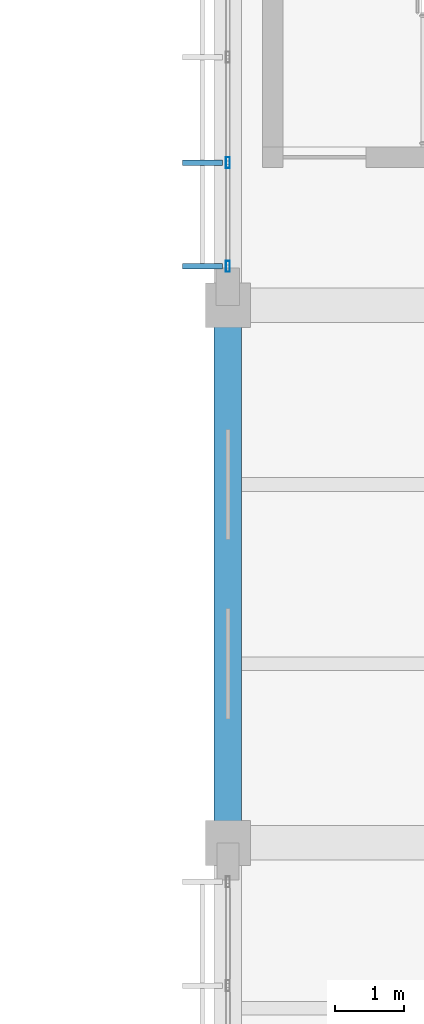
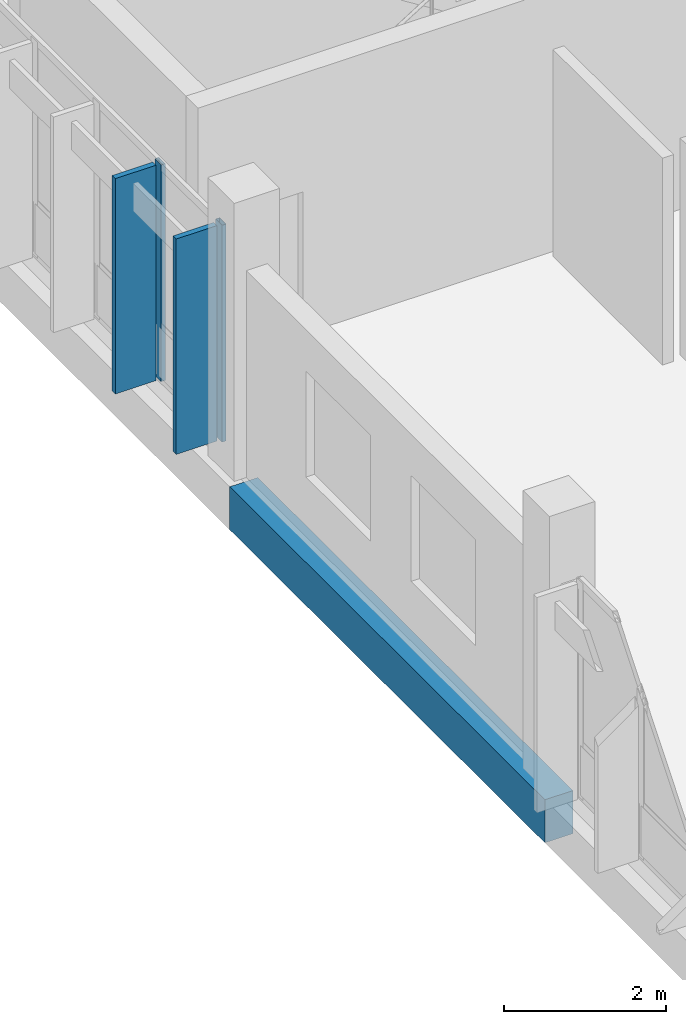
# One storey, part 95 of 182: 4 members, 1 beam, 1 element without a shape of its own.
"""IFC4 building model written with IfcOpenShell, lengths in metres."""

import ifcopenshell
import ifcopenshell.guid

model = None  # the IFC model being written
_history = None  # IfcOwnerHistory: only IFC2X3 demands one
_inside = {}  # id of a spatial element -> (the spatial element, [elements in it])
_under = {}  # id of a project, library or spatial element -> (it, [spatial elements below it])
_declared = {}  # id of a project -> (the project, [libraries it declares])
_typed = {}  # id of a type object -> (the type object, [elements of that type])
_made_of = {}  # id of a material, layer set ... -> (it, [elements and type objects made of it])


def new_model(schema):
    """Start an empty IFC model of exactly this schema.

    Asked for "IFC4X3", IfcOpenShell would pick the latest addendum, in which some entities
    have other attributes; the version numbers below select the first issue.
    IFC2X3 requires an IfcOwnerHistory on every rooted entity: one is made here for all.
    """
    global model, _history
    if schema == "IFC4X3":
        model = ifcopenshell.file(schema_version=(4, 3, 0, 0))
    else:
        model = ifcopenshell.file(schema=schema)
    _inside.clear()
    _under.clear()
    _declared.clear()
    _typed.clear()
    _made_of.clear()
    _history = None
    if model.schema == "IFC2X3":
        org = make("IfcOrganization", Name="unknown")
        user = make(
            "IfcPersonAndOrganization",
            ThePerson=make("IfcPerson", FamilyName="unknown"),
            TheOrganization=org,
        )
        app = make(
            "IfcApplication",
            ApplicationDeveloper=org,
            Version="unknown",
            ApplicationFullName="unknown",
            ApplicationIdentifier="unknown",
        )
        _history = make(
            "IfcOwnerHistory",
            OwningUser=user,
            OwningApplication=app,
            ChangeAction="ADDED",
            CreationDate=0,
        )
    return model


def make(cls, **values):
    """One entity of the class cls with the attributes given. An attribute that is None is left unset."""
    return model.create_entity(
        cls, **{name: value for name, value in values.items() if value is not None}
    )


def rooted(cls, **values):
    """An entity with a GlobalId (a new one), such as an element, a storey or a relation."""
    return make(cls, GlobalId=ifcopenshell.guid.new(), OwnerHistory=_history, **values)


def si_unit(unit_type, name, prefix=None):
    """IfcSIUnit, for example si_unit("LENGTHUNIT", "METRE", prefix="MILLI")."""
    return make("IfcSIUnit", UnitType=unit_type, Prefix=prefix, Name=name)


def assignment(units):
    """IfcUnitAssignment: the units of a project."""
    return None if units is None else make("IfcUnitAssignment", Units=units)


def point(xyz):
    """IfcCartesianPoint."""
    return None if xyz is None else make("IfcCartesianPoint", Coordinates=xyz)


def direction(xyz):
    """IfcDirection."""
    return None if xyz is None else make("IfcDirection", DirectionRatios=xyz)


def frame(location, z_axis=None, x_axis=None):
    """IfcAxis2Placement3D, a coordinate frame: its origin and axes. An axis left out is left unset."""
    return make(
        "IfcAxis2Placement3D",
        Location=point(location),
        Axis=direction(z_axis),
        RefDirection=direction(x_axis),
    )


def frame_2d(location, x_axis=None):
    """IfcAxis2Placement2D, a coordinate frame in the plane: its origin and x axis."""
    return make(
        "IfcAxis2Placement2D", Location=point(location), RefDirection=direction(x_axis)
    )


def origin():
    """The frame at (0, 0, 0) with its axes left unset."""
    return frame((0.0, 0.0, 0.0))


def origin_2d():
    """The frame at (0, 0) in the plane with its x axis left unset."""
    return frame_2d((0.0, 0.0))


def place(relative_to, where):
    """IfcLocalPlacement: puts the frame where relative to a parent placement (None: the world)."""
    return make(
        "IfcLocalPlacement", PlacementRelTo=relative_to, RelativePlacement=where
    )


def context(
    kind, dimensions, precision=None, world=None, true_north=None, identifier=None
):
    """IfcGeometricRepresentationContext, for example the 3D "Model" context."""
    return make(
        "IfcGeometricRepresentationContext",
        ContextIdentifier=identifier,
        ContextType=kind,
        CoordinateSpaceDimension=dimensions,
        Precision=precision,
        WorldCoordinateSystem=world,
        TrueNorth=true_north,
    )


def subcontext(parent, identifier, kind, view, scale=None):
    """IfcGeometricRepresentationSubContext, for example "Body" below "Model"."""
    return make(
        "IfcGeometricRepresentationSubContext",
        ContextIdentifier=identifier,
        ContextType=kind,
        ParentContext=parent,
        TargetScale=scale,
        TargetView=view,
    )


def project(units=None, contexts=None):
    """IfcProject with its units and contexts."""
    return rooted(
        "IfcProject",
        Name="project",
        RepresentationContexts=contexts,
        UnitsInContext=assignment(units),
    )


def spatial(cls, under=None, at=None, **own):
    """A site, building, storey or space (cls), placed at a placement, below another one or the project."""
    s = rooted(cls, ObjectPlacement=at, **own)
    if under is not None:
        _under.setdefault(under.id(), (under, []))[1].append(s)
    return s


def profile(cls, at=None, kind="AREA", **sizes):
    """A parametric profile (cls). Its sizes go by their IFC names, for example OverallWidth=200.0."""
    return make(cls, ProfileType=kind, Position=at, **sizes)


def rectangle(**sizes):
    """IfcRectangleProfileDef."""
    return profile("IfcRectangleProfileDef", **sizes)


def hollow_rectangle(**sizes):
    """IfcRectangleHollowProfileDef."""
    return profile("IfcRectangleHollowProfileDef", **sizes)


def extrude(swept, where, along, depth):
    """IfcExtrudedAreaSolid: the profile swept, set in the frame where, extruded along a direction by depth."""
    return make(
        "IfcExtrudedAreaSolid",
        SweptArea=swept,
        Position=where,
        ExtrudedDirection=direction(along),
        Depth=depth,
    )


def shape(context_of_items, identifier, shape_type, items):
    """IfcShapeRepresentation: the items that make up one representation, for example the "Body"."""
    return make(
        "IfcShapeRepresentation",
        ContextOfItems=context_of_items,
        RepresentationIdentifier=identifier,
        RepresentationType=shape_type,
        Items=items,
    )


def material(Name=None, Category=None):
    """IfcMaterial."""
    return make("IfcMaterial", Name=Name, Category=Category)


def material_profile(
    of_material, cross_section, Name=None, Category=None, Priority=None
):
    """IfcMaterialProfile: a cross section and its material."""
    return make(
        "IfcMaterialProfile",
        Name=Name,
        Material=of_material,
        Profile=cross_section,
        Priority=Priority,
        Category=Category,
    )


def profile_set(profiles, Name=None, composite=None):
    """IfcMaterialProfileSet."""
    return make(
        "IfcMaterialProfileSet",
        Name=Name,
        MaterialProfiles=profiles,
        CompositeProfile=composite,
    )


def made_of(thing, what):
    """Note that an element or type object is made of a material, layer set ...; save() writes the relation."""
    if what is not None:
        _made_of.setdefault(what.id(), (what, []))[1].append(thing)
    return thing


def type_object(cls, material=None, **own):
    """A type object (cls), such as IfcWallType, which elements share."""
    return made_of(rooted(cls, **own), material)


def element(
    cls,
    number,
    at=None,
    inside=None,
    cuts=None,
    type_object=None,
    material=None,
    context=None,
    identifier="Body",
    shape_type=None,
    held_by="IfcProductDefinitionShape",
    body=None,
    shapes=None,
    **own,
):
    """One element of the class cls, such as IfcWall. Its Tag is "e" and its number.

    at: its placement. inside: the storey or other place that contains it. cuts: it is an
    opening in that element (IfcRelVoidsElement). A single representation is given by context,
    identifier, shape_type and body (its items); several are given by shapes. held_by: the class
    of the entity that holds the representations. save() writes the other relations.
    """
    e = rooted(cls, Tag="e%d" % number, ObjectPlacement=at, **own)
    if body is not None:
        shapes = [shape(context, identifier, shape_type, body)]
    if shapes is not None:
        e.Representation = make(held_by, Representations=shapes)
    if inside is not None:
        _inside.setdefault(inside.id(), (inside, []))[1].append(e)
    if cuts is not None:
        rooted(
            "IfcRelVoidsElement", RelatingBuildingElement=cuts, RelatedOpeningElement=e
        )
    if type_object is not None:
        _typed.setdefault(type_object.id(), (type_object, []))[1].append(e)
    return made_of(e, material)


def aggregate(whole, parts):
    """IfcRelAggregates: a whole, such as a stair, and the parts it consists of."""
    return rooted("IfcRelAggregates", RelatingObject=whole, RelatedObjects=parts)


def save(model, path):
    """Write the relations noted so far, then the file.

    IfcRelAggregates (storeys below a building ...), IfcRelContainedInSpatialStructure (elements
    in a storey), IfcRelDefinesByType, IfcRelAssociatesMaterial and IfcRelDeclares: one each for
    every whole, place, type object, material and project.
    """
    for whole, parts in _under.values():
        aggregate(whole, parts)
    for where, things in _inside.values():
        rooted(
            "IfcRelContainedInSpatialStructure",
            RelatedElements=things,
            RelatingStructure=where,
        )
    for kind, things in _typed.values():
        rooted("IfcRelDefinesByType", RelatedObjects=things, RelatingType=kind)
    for what, things in _made_of.values():
        rooted("IfcRelAssociatesMaterial", RelatedObjects=things, RelatingMaterial=what)
    for by, libraries in _declared.values():
        rooted("IfcRelDeclares", RelatingContext=by, RelatedDefinitions=libraries)
    model.write(path)


model = new_model("IFC4")

# Units and contexts
model_context = context("Model", 3, precision=1e-05, world=origin(), true_north=direction((0.0, 1.0)))
body_context = subcontext(model_context, "Body", "Model", "MODEL_VIEW")
ifc_project = project(units=[si_unit("LENGTHUNIT", "METRE"), si_unit("AREAUNIT", "SQUARE_METRE"), si_unit("VOLUMEUNIT", "CUBIC_METRE"), si_unit("PLANEANGLEUNIT", "RADIAN"), si_unit("MASSUNIT", "GRAM", prefix="KILO")], contexts=[model_context])

# Site, building, storey
site_placement = place(None, origin())
site = spatial("IfcSite", under=ifc_project, at=site_placement, CompositionType="ELEMENT")
building_placement = place(site_placement, origin())
building = spatial("IfcBuilding", under=site, at=building_placement, Name="Chiffa Square Polytechnic", CompositionType="ELEMENT")
storey_placement = place(building_placement, frame((0.0, 0.0, 9.60009765625)))
storey = spatial("IfcBuildingStorey", under=building, at=storey_placement, Name="L02", CompositionType="ELEMENT", Elevation=9.60009765625)

# Beam
ifc_material_1 = material(Name="Concrete C35/45", Category="concrete")
ifc_material_profile_1 = material_profile(ifc_material_1, rectangle(XDim=0.39990234375, YDim=0.64990234375, at=origin_2d()), Name="RC 400x650")
ifc_profile_set_1 = profile_set([ifc_material_profile_1], Name="Concrete C35/45")
beam_type = type_object("IfcBeamType", Name="BM-RC-400X650", PredefinedType="BEAM", material=ifc_profile_set_1)
beam_placement = place(storey_placement, frame((148.199951171875, 36.0, -0.64501953125), z_axis=(0.0, 1.0, 0.0), x_axis=(-1.0, 0.0, 0.0)))
element("IfcBeam", 1, at=beam_placement, inside=storey, type_object=beam_type, Name="Primary floor girder BM-V1-L02-Y-1482-0360", PredefinedType="BEAM", context=body_context, shape_type="SweptSolid", body=[
    extrude(rectangle(XDim=0.39990234375, YDim=0.64990234375, at=origin_2d()), origin(), (0.0, 0.0, 1.0), 7.800048828125),
])

# Curtain wall, members
ifc_material_2 = material(Name="Aluminium EN AW-6060 T66 and glulam shading", Category="wood")
curtain_wall_type = type_object("IfcCurtainWallType", Name="CW-VERT-450X380", PredefinedType="USERDEFINED", material=ifc_material_2)
curtain_wall_placement = place(storey_placement, origin())
curtain_wall = element("IfcCurtainWall", 2, at=curtain_wall_placement, inside=storey, type_object=curtain_wall_type, Name="Curtain wall CW-V1-L02-130", ObjectType="CURTAIN WALL", PredefinedType="USERDEFINED")
ifc_material_3 = material(Name="Aluminium EN AW-6060 T66", Category="aluminium")
ifc_material_profile_2 = material_profile(ifc_material_3, hollow_rectangle(XDim=0.06005859375, YDim=0.159912109375, WallThickness=0.00390625, at=origin_2d()), Name="ALU 60x160x4")
ifc_profile_set_2 = profile_set([ifc_material_profile_2], Name="Aluminium EN AW-6060 T66")
member_type_1 = type_object("IfcMemberType", Name="CWM-ALU-65X150", PredefinedType="MULLION", material=ifc_profile_set_2)
member_1_placement = place(storey_placement, frame((148.199951171875, 45.8701171875, 0.0), z_axis=(0.0, 0.0, 1.0), x_axis=(1.0, 0.0, 0.0)))
member_1 = element("IfcMember", 3, at=member_1_placement, type_object=member_type_1, Name="Curtain wall mullion CW-V1-L02-130-M03", PredefinedType="MULLION", context=body_context, shape_type="SweptSolid", body=[
    extrude(hollow_rectangle(XDim=0.06005859375, YDim=0.159912109375, WallThickness=0.00390625, at=origin_2d()), origin(), (0.0, 0.0, 1.0), 3.27490234375),
])
member_2_placement = place(storey_placement, frame((148.199951171875, 44.364990234375, 0.0), z_axis=(0.0, 0.0, 1.0), x_axis=(1.0, 0.0, 0.0)))
member_2 = element("IfcMember", 4, at=member_2_placement, type_object=member_type_1, Name="Curtain wall mullion CW-V1-L02-130-M04", PredefinedType="MULLION", context=body_context, shape_type="SweptSolid", body=[
    extrude(hollow_rectangle(XDim=0.06005859375, YDim=0.159912109375, WallThickness=0.00390625, at=origin_2d()), origin(), (0.0, 0.0, 1.0), 3.27490234375),
])
ifc_material_4 = material(Name="Glulam GL28h", Category="wood")
ifc_material_profile_3 = material_profile(ifc_material_4, rectangle(XDim=0.080078125, YDim=0.580078125, at=origin_2d()), Name="GL28h 80x580")
ifc_profile_set_3 = profile_set([ifc_material_profile_3], Name="Glulam GL28h")
member_type_2 = type_object("IfcMemberType", Name="CWM-GL-80X580", PredefinedType="MULLION", material=ifc_profile_set_3)
member_3_placement = place(storey_placement, frame((147.827880859375, 45.8701171875, 0.010009765625), z_axis=(0.0, 0.0, 1.0), x_axis=(0.0, -1.0, 0.0)))
member_3 = element("IfcMember", 5, at=member_3_placement, type_object=member_type_2, Name="Exterior glulam solar fin CW-V1-L02-130-FN03", PredefinedType="MULLION", context=body_context, shape_type="SweptSolid", body=[
    extrude(rectangle(XDim=0.080078125, YDim=0.580078125, at=origin_2d()), origin(), (0.0, 0.0, 1.0), 3.2548828125),
])
member_4_placement = place(storey_placement, frame((147.827880859375, 44.364990234375, 0.010009765625), z_axis=(0.0, 0.0, 1.0), x_axis=(0.0, -1.0, 0.0)))
member_4 = element("IfcMember", 6, at=member_4_placement, type_object=member_type_2, Name="Exterior glulam solar fin CW-V1-L02-130-FN04", PredefinedType="MULLION", context=body_context, shape_type="SweptSolid", body=[
    extrude(rectangle(XDim=0.080078125, YDim=0.580078125, at=origin_2d()), origin(), (0.0, 0.0, 1.0), 3.2548828125),
])
aggregate(curtain_wall, [member_1, member_3, member_2, member_4])

save(model, "model.ifc")
